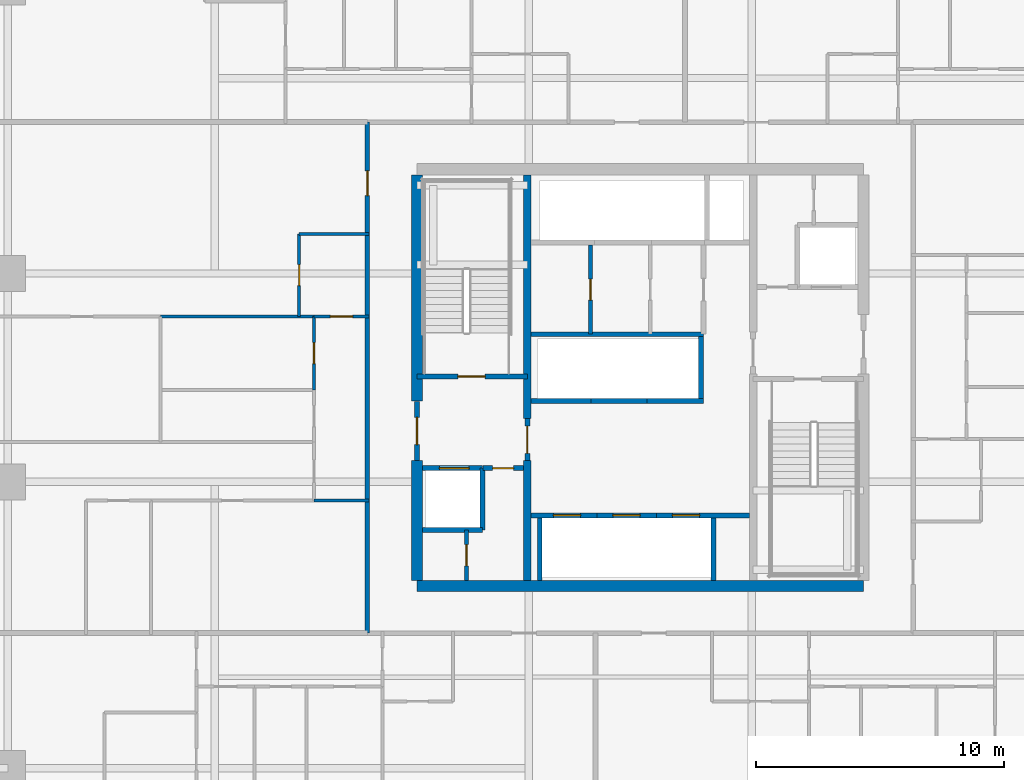
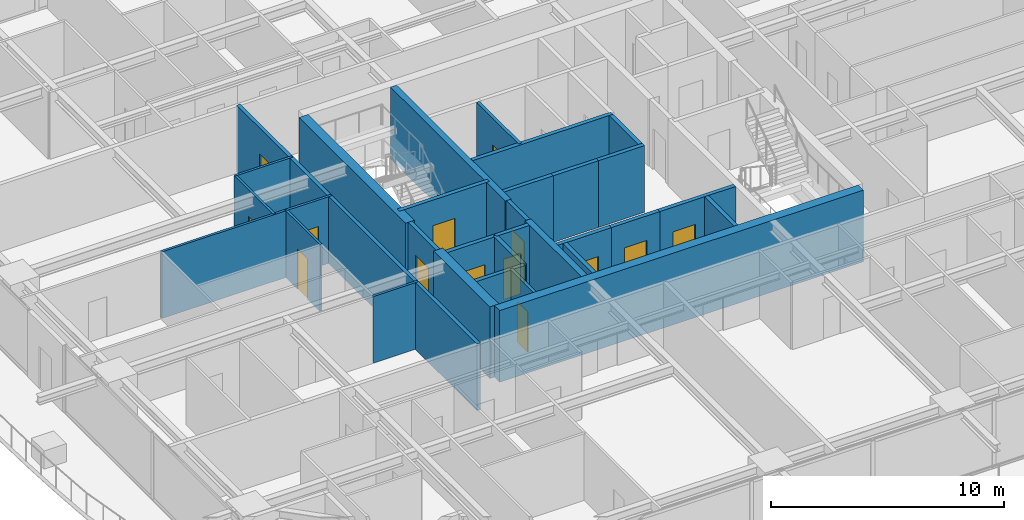
# One storey, part 24 of 36: 31 walls, 14 doors, 14 openings.
"""IFC4 building model written with IfcOpenShell, lengths in metres."""

from ifc_helpers import new_model, si_unit, direction, frame, frame_2d, origin, place, context, subcontext, project, spatial, rectangle, extrude, source, transform, mapped, material, layer, layer_set, type_object, element, fill, save


model = new_model("IFC4")

# Units and contexts
model_context = context("Model", 3, precision=1e-05, world=origin(), true_north=direction((0.0, 1.0)))
body_context = subcontext(model_context, "Body", "Model", "MODEL_VIEW")
ifc_project = project(units=[si_unit("LENGTHUNIT", "METRE"), si_unit("AREAUNIT", "SQUARE_METRE"), si_unit("VOLUMEUNIT", "CUBIC_METRE"), si_unit("PLANEANGLEUNIT", "RADIAN"), si_unit("MASSUNIT", "GRAM", prefix="KILO")], contexts=[model_context])

# Site, building, storey
site_placement = place(None, origin())
site = spatial("IfcSite", under=ifc_project, at=site_placement, CompositionType="ELEMENT")
building_placement = place(site_placement, origin())
building = spatial("IfcBuilding", under=site, at=building_placement, Name="Serunith Strait Residences", CompositionType="ELEMENT")
storey_placement = place(building_placement, frame((0.0, 0.0, 41.699951171875)))
storey = spatial("IfcBuildingStorey", under=building, at=storey_placement, Name="L09", CompositionType="ELEMENT", Elevation=41.699951171875)

# Wall, opening, door
ifc_material_1 = material(Name="Fire-rated masonry service closet wall", Category="masonry")
ifc_layer_1 = layer(ifc_material_1, 0.14990234375, Name="Fire-rated masonry service closet wall")
ifc_layer_set_1 = layer_set([ifc_layer_1], Name="Fire-rated masonry service closet wall")
wall_type_1 = type_object("IfcWallType", Name="IW-BOH-150", PredefinedType="PARTITIONING", material=ifc_layer_set_1)
wall_1_placement = place(storey_placement, frame((25.39990234375, 17.02490234375, 0.0), z_axis=(0.0, 0.0, 1.0), x_axis=(0.0, 1.0, 0.0)))
wall_1 = element("IfcWall", 1, at=wall_1_placement, inside=storey, type_object=wall_type_1, Name="L09 Partition Wall 012", PredefinedType="PARTITIONING", context=body_context, shape_type="SweptSolid", body=[
    extrude(rectangle(XDim=2.025146484375, YDim=0.14990234375, at=frame_2d((1.0126953125, 0.0))), origin(), (0.0, 0.0, 1.0), 3.489990234375),
])
opening_1_placement = place(wall_1_placement, frame((0.587890625, 0.0, 0.0)))
opening_1 = element("IfcOpeningElement", 2, at=opening_1_placement, cuts=wall_1, Name="Opening FD-850", PredefinedType="OPENING", context=body_context, shape_type="SweptSolid", body=[
    extrude(rectangle(XDim=0.85009765625, YDim=2.10009765625, at=frame_2d((0.425048828125, 1.050048828125))), frame((0.0, 0.0849609375, 0.0), z_axis=(0.0, -1.0, 0.0), x_axis=(1.0, 0.0, 0.0)), (0.0, 0.0, 1.0), 0.169921875),
])
ifc_material_2 = material(Name="Powder-coated steel service closet door", Category="steel")
door_type_1 = type_object("IfcDoorType", Name="FD-BOH-850", OperationType="NOTDEFINED", PredefinedType="DOOR", material=ifc_material_2)
shared_shape_1 = source(origin(), body_context, "Body", "SweptSolid", [
    extrude(rectangle(XDim=0.85009765625, YDim=2.10009765625, at=frame_2d((0.425048828125, 1.050048828125))), frame((0.0, 0.02490234375, 0.0), z_axis=(0.0, -1.0, 0.0), x_axis=(1.0, 0.0, 0.0)), (0.0, 0.0, 1.0), 0.050048828125),
])
door_1_placement = place(opening_1_placement, origin())
door_1 = element("IfcDoor", 3, at=door_1_placement, inside=storey, type_object=door_type_1, Name="L09 Sprinkler Plant Door", OperationType="SINGLE_SWING_RIGHT", OverallHeight=2.10009765625, OverallWidth=0.85009765625, PredefinedType="DOOR", context=body_context, shape_type="MappedRepresentation", body=[
    mapped(shared_shape_1, transform((0.0, 0.0, 0.0), scale=1.0)),
])
fill(opening_1, door_1)

wall_2_placement = place(storey_placement, frame((30.39990234375, 26.949951171875, 0.0), z_axis=(0.0, 0.0, 1.0), x_axis=(0.0, 1.0, 0.0)))
wall_2 = element("IfcWall", 4, at=wall_2_placement, inside=storey, type_object=wall_type_1, Name="L09 Partition Wall 016", PredefinedType="PARTITIONING", context=body_context, shape_type="SweptSolid", body=[
    extrude(rectangle(XDim=3.60009765625, YDim=0.14990234375, at=frame_2d((1.800048828125, 0.0))), origin(), (0.0, 0.0, 1.0), 3.489990234375),
])
opening_2_placement = place(wall_2_placement, frame((1.375, 0.0, 0.0)))
opening_2 = element("IfcOpeningElement", 5, at=opening_2_placement, cuts=wall_2, Name="Opening FD-850", PredefinedType="OPENING", context=body_context, shape_type="SweptSolid", body=[
    extrude(rectangle(XDim=0.85009765625, YDim=2.10009765625, at=frame_2d((0.425048828125, 1.050048828125))), frame((0.0, 0.0849609375, 0.0), z_axis=(0.0, -1.0, 0.0), x_axis=(1.0, 0.0, 0.0)), (0.0, 0.0, 1.0), 0.169921875),
])
door_2_placement = place(opening_2_placement, origin())
door_2 = element("IfcDoor", 6, at=door_2_placement, inside=storey, type_object=door_type_1, Name="L09 Housekeeping Supply Door", OperationType="SINGLE_SWING_RIGHT", OverallHeight=2.10009765625, OverallWidth=0.85009765625, PredefinedType="DOOR", context=body_context, shape_type="MappedRepresentation", body=[
    mapped(shared_shape_1, transform((0.0, 0.0, 0.0), scale=1.0)),
])
fill(opening_2, door_2)

ifc_material_3 = material(Name="Fire-rated acoustic gypsum partition")
ifc_layer_2 = layer(ifc_material_3, 0.179931640625, Name="Fire-rated acoustic gypsum partition")
ifc_layer_set_2 = layer_set([ifc_layer_2], Name="Fire-rated acoustic gypsum partition")
wall_type_2 = type_object("IfcWallType", Name="IW-CORR-180", PredefinedType="PARTITIONING", material=ifc_layer_set_2)
wall_3_placement = place(storey_placement, frame((21.39990234375, 14.89990234375, 0.0), z_axis=(0.0, 0.0, 1.0), x_axis=(0.0, 1.0, 0.0)))
wall_3 = element("IfcWall", 7, at=wall_3_placement, inside=storey, type_object=wall_type_2, Name="L09 Partition Wall 025", PredefinedType="PARTITIONING", context=body_context, shape_type="SweptSolid", body=[
    extrude(rectangle(XDim=20.60009765625, YDim=0.179931640625, at=frame_2d((10.300048828125, 0.0))), origin(), (0.0, 0.0, 1.0), 3.489990234375),
])
opening_3_placement = place(wall_3_placement, frame((17.639892578125, 0.0, 0.0)))
opening_3 = element("IfcOpeningElement", 8, at=opening_3_placement, cuts=wall_3, Name="Opening D-APT1000", PredefinedType="OPENING", context=body_context, shape_type="SweptSolid", body=[
    extrude(rectangle(XDim=1.0, YDim=2.14990234375, at=frame_2d((0.5, 1.074951171875))), frame((0.0, 0.10009765625, 0.0), z_axis=(0.0, -1.0, 0.0), x_axis=(1.0, 0.0, 0.0)), (0.0, 0.0, 1.0), 0.199951171875),
])
ifc_material_4 = material(Name="Solid timber engineered fire door", Category="wood")
door_type_2 = type_object("IfcDoorType", Name="ID-APT-1000", OperationType="NOTDEFINED", PredefinedType="DOOR", material=ifc_material_4)
shared_shape_2 = source(origin(), body_context, "Body", "SweptSolid", [
    extrude(rectangle(XDim=1.0, YDim=2.14990234375, at=frame_2d((0.5, 1.074951171875))), frame((0.0, 0.02490234375, 0.0), z_axis=(0.0, -1.0, 0.0), x_axis=(1.0, 0.0, 0.0)), (0.0, 0.0, 1.0), 0.050048828125),
])
door_3_placement = place(opening_3_placement, origin())
door_3 = element("IfcDoor", 9, at=door_3_placement, inside=storey, type_object=door_type_2, Name="L09 Unit 05 Entrance Door", OperationType="SINGLE_SWING_LEFT", OverallHeight=2.14990234375, OverallWidth=1.0, PredefinedType="DOOR", context=body_context, shape_type="MappedRepresentation", body=[
    mapped(shared_shape_2, transform((0.0, 0.0, 0.0), scale=1.0)),
])
fill(opening_3, door_3)

ifc_material_5 = material(Name="Lightweight steel-stud gypsum partition", Category="steel")
ifc_layer_3 = layer(ifc_material_5, 0.1201171875, Name="Lightweight steel-stud gypsum partition")
ifc_layer_set_3 = layer_set([ifc_layer_3], Name="Lightweight steel-stud gypsum partition")
wall_type_3 = type_object("IfcWallType", Name="IW-PART-120", PredefinedType="PARTITIONING", material=ifc_layer_set_3)
wall_4_placement = place(storey_placement, frame((18.64990234375, 27.669921875, 0.0), z_axis=(0.0, 0.0, 1.0), x_axis=(0.0, 1.0, 0.0)))
wall_4 = element("IfcWall", 10, at=wall_4_placement, inside=storey, type_object=wall_type_3, Name="L09 Partition Wall 095", PredefinedType="PARTITIONING", context=body_context, shape_type="SweptSolid", body=[
    extrude(rectangle(XDim=3.330078125, YDim=0.1201171875, at=frame_2d((1.6650390625, 0.0))), origin(), (0.0, 0.0, 1.0), 3.489990234375),
])
opening_4_placement = place(wall_4_placement, frame((1.239990234375, 0.0, 0.0)))
opening_4 = element("IfcOpeningElement", 11, at=opening_4_placement, cuts=wall_4, Name="Opening D-RM850", PredefinedType="OPENING", context=body_context, shape_type="SweptSolid", body=[
    extrude(rectangle(XDim=0.85009765625, YDim=2.10009765625, at=frame_2d((0.425048828125, 1.050048828125))), frame((0.0, 0.070068359375, 0.0), z_axis=(0.0, -1.0, 0.0), x_axis=(1.0, 0.0, 0.0)), (0.0, 0.0, 1.0), 0.14013671875),
])
ifc_material_6 = material(Name="Engineered timber flush study and kitchen door", Category="wood")
door_type_3 = type_object("IfcDoorType", Name="ID-ROOM-850", OperationType="NOTDEFINED", PredefinedType="DOOR", material=ifc_material_6)
door_4_placement = place(opening_4_placement, origin())
door_4 = element("IfcDoor", 12, at=door_4_placement, inside=storey, type_object=door_type_3, Name="L09 Kitchen 0905 Door", OperationType="SINGLE_SWING_LEFT", OverallHeight=2.10009765625, OverallWidth=0.85009765625, PredefinedType="DOOR", context=body_context, shape_type="MappedRepresentation", body=[
    mapped(shared_shape_1, transform((0.0, 0.0, 0.0), scale=1.0)),
])
fill(opening_4, door_4)

# Wall
wall_5_placement = place(storey_placement, frame((18.64990234375, 31.0, 0.0), z_axis=(0.0, 0.0, 1.0), x_axis=(1.0, 0.0, 0.0)))
element("IfcWall", 13, at=wall_5_placement, inside=storey, type_object=wall_type_3, Name="L09 Partition Wall 096", PredefinedType="PARTITIONING", context=body_context, shape_type="SweptSolid", body=[
    extrude(rectangle(XDim=2.81005859375, YDim=0.1201171875, at=frame_2d((1.405029296875, 0.0))), origin(), (0.0, 0.0, 1.0), 3.489990234375),
])

# Wall, opening, door
wall_6_placement = place(storey_placement, frame((19.25, 27.669921875, 0.0), z_axis=(0.0, 0.0, 1.0), x_axis=(1.0, 0.0, 0.0)))
wall_6 = element("IfcWall", 14, at=wall_6_placement, inside=storey, type_object=wall_type_3, Name="L09 Partition Wall 097", PredefinedType="PARTITIONING", context=body_context, shape_type="SweptSolid", body=[
    extrude(rectangle(XDim=2.2099609375, YDim=0.1201171875, at=frame_2d((1.10498046875, 0.0))), origin(), (0.0, 0.0, 1.0), 3.489990234375),
])
opening_5_placement = place(wall_6_placement, frame((0.655029296875, 0.0, 0.0)))
opening_5 = element("IfcOpeningElement", 15, at=opening_5_placement, cuts=wall_6, Name="Opening D-RM900", PredefinedType="OPENING", context=body_context, shape_type="SweptSolid", body=[
    extrude(rectangle(XDim=0.89990234375, YDim=2.10009765625, at=frame_2d((0.449951171875, 1.050048828125))), frame((0.0, 0.070068359375, 0.0), z_axis=(0.0, -1.0, 0.0), x_axis=(1.0, 0.0, 0.0)), (0.0, 0.0, 1.0), 0.14013671875),
])
ifc_material_7 = material(Name="Engineered timber flush bedroom door", Category="wood")
door_type_4 = type_object("IfcDoorType", Name="ID-ROOM-900", OperationType="NOTDEFINED", PredefinedType="DOOR", material=ifc_material_7)
shared_shape_3 = source(origin(), body_context, "Body", "SweptSolid", [
    extrude(rectangle(XDim=0.89990234375, YDim=2.10009765625, at=frame_2d((0.449951171875, 1.050048828125))), frame((0.0, 0.02490234375, 0.0), z_axis=(0.0, -1.0, 0.0), x_axis=(1.0, 0.0, 0.0)), (0.0, 0.0, 1.0), 0.050048828125),
])
door_5_placement = place(opening_5_placement, origin())
door_5 = element("IfcDoor", 16, at=door_5_placement, inside=storey, type_object=door_type_4, Name="L09 Hall W 0905 Door", OperationType="SINGLE_SWING_RIGHT", OverallHeight=2.10009765625, OverallWidth=0.89990234375, PredefinedType="DOOR", context=body_context, shape_type="MappedRepresentation", body=[
    mapped(shared_shape_3, transform((0.0, 0.0, 0.0), scale=1.0)),
])
fill(opening_5, door_5)

# Wall
wall_7_placement = place(storey_placement, frame((13.06103515625, 27.669921875, 0.0), z_axis=(0.0, 0.0, 1.0), x_axis=(1.0, 0.0, 0.0)))
element("IfcWall", 17, at=wall_7_placement, inside=storey, type_object=wall_type_3, Name="L09 Partition Wall 099", PredefinedType="PARTITIONING", context=body_context, shape_type="SweptSolid", body=[
    extrude(rectangle(XDim=6.18701171875, YDim=0.1201171875, at=frame_2d((3.093505859375, 0.0))), origin(), (0.0, 0.0, 1.0), 3.489990234375),
])

# Wall, opening, door
wall_8_placement = place(storey_placement, frame((19.25, 24.701904296875, 0.0), z_axis=(0.0, 0.0, 1.0), x_axis=(0.0, 1.0, 0.0)))
wall_8 = element("IfcWall", 18, at=wall_8_placement, inside=storey, type_object=wall_type_3, Name="L09 Partition Wall 104", PredefinedType="PARTITIONING", context=body_context, shape_type="SweptSolid", body=[
    extrude(rectangle(XDim=2.968017578125, YDim=0.1201171875, at=frame_2d((1.48388671875, 0.0))), origin(), (0.0, 0.0, 1.0), 3.489990234375),
])
opening_6_placement = place(wall_8_placement, frame((1.05908203125, 0.0, 0.0)))
opening_6 = element("IfcOpeningElement", 19, at=opening_6_placement, cuts=wall_8, Name="Opening D-RM850", PredefinedType="OPENING", context=body_context, shape_type="SweptSolid", body=[
    extrude(rectangle(XDim=0.85009765625, YDim=2.10009765625, at=frame_2d((0.425048828125, 1.050048828125))), frame((0.0, 0.070068359375, 0.0), z_axis=(0.0, -1.0, 0.0), x_axis=(1.0, 0.0, 0.0)), (0.0, 0.0, 1.0), 0.14013671875),
])
door_6_placement = place(opening_6_placement, origin())
door_6 = element("IfcDoor", 20, at=door_6_placement, inside=storey, type_object=door_type_3, Name="L09 Formal Dining Room 0905 Door", OperationType="SINGLE_SWING_LEFT", OverallHeight=2.10009765625, OverallWidth=0.85009765625, PredefinedType="DOOR", context=body_context, shape_type="MappedRepresentation", body=[
    mapped(shared_shape_1, transform((0.0, 0.0, 0.0), scale=1.0)),
])
fill(opening_6, door_6)

# Wall
wall_9_placement = place(storey_placement, frame((19.251953125, 20.25, 0.0), z_axis=(0.0, 0.0, 1.0), x_axis=(1.0, 0.0, 0.0)))
element("IfcWall", 21, at=wall_9_placement, inside=storey, type_object=wall_type_3, Name="L09 Partition Wall 110", PredefinedType="PARTITIONING", context=body_context, shape_type="SweptSolid", body=[
    extrude(rectangle(XDim=2.2080078125, YDim=0.1201171875, at=frame_2d((1.10400390625, 0.0))), origin(), (0.0, 0.0, 1.0), 3.489990234375),
])

# Wall, opening, door
ifc_material_8 = material(Name="Autoclaved aerated concrete blockwork", Category="masonry")
ifc_layer_4 = layer(ifc_material_8, 0.199951171875, Name="Autoclaved aerated concrete blockwork")
ifc_layer_set_4 = layer_set([ifc_layer_4], Name="Autoclaved aerated concrete blockwork")
wall_type_4 = type_object("IfcWallType", Name="IW-SHAFT-200", PredefinedType="STANDARD", material=ifc_layer_set_4)
wall_10_placement = place(storey_placement, frame((23.39990234375, 25.25, 0.0), z_axis=(0.0, 0.0, 1.0), x_axis=(1.0, 0.0, 0.0)))
wall_10 = element("IfcWall", 22, at=wall_10_placement, inside=storey, type_object=wall_type_4, Name="L09 ST-1 South Shaft Wall", PredefinedType="STANDARD", context=body_context, shape_type="SweptSolid", body=[
    extrude(rectangle(XDim=4.4501953125, YDim=0.199951171875, at=frame_2d((2.22509765625, 0.0))), origin(), (0.0, 0.0, 1.0), 3.489990234375),
])
opening_7_placement = place(wall_10_placement, frame((1.64990234375, 0.0, 0.0)))
opening_7 = element("IfcOpeningElement", 23, at=opening_7_placement, cuts=wall_10, Name="Opening FD-1100", PredefinedType="OPENING", context=body_context, shape_type="SweptSolid", body=[
    extrude(rectangle(XDim=1.10009765625, YDim=2.14990234375, at=frame_2d((0.550048828125, 1.074951171875))), frame((0.0, 0.10986328125, 0.0), z_axis=(0.0, -1.0, 0.0), x_axis=(1.0, 0.0, 0.0)), (0.0, 0.0, 1.0), 0.219970703125),
])
ifc_material_9 = material(Name="Galvanised steel fire door leaf", Category="steel")
door_type_5 = type_object("IfcDoorType", Name="FD-STAIR-1100", OperationType="NOTDEFINED", PredefinedType="DOOR", material=ifc_material_9)
shared_shape_4 = source(origin(), body_context, "Body", "SweptSolid", [
    extrude(rectangle(XDim=1.10009765625, YDim=2.14990234375, at=frame_2d((0.550048828125, 1.074951171875))), frame((0.0, 0.02490234375, 0.0), z_axis=(0.0, -1.0, 0.0), x_axis=(1.0, 0.0, 0.0)), (0.0, 0.0, 1.0), 0.050048828125),
])
door_7_placement = place(opening_7_placement, origin())
door_7 = element("IfcDoor", 24, at=door_7_placement, inside=storey, type_object=door_type_5, Name="L09 ST-1 Escape Stair Door", OperationType="SINGLE_SWING_LEFT", OverallHeight=2.14990234375, OverallWidth=1.10009765625, PredefinedType="DOOR", context=body_context, shape_type="MappedRepresentation", body=[
    mapped(shared_shape_4, transform((0.0, 0.0, 0.0), scale=1.0)),
])
fill(opening_7, door_7)

wall_11_placement = place(storey_placement, frame((23.625, 21.550048828125, 0.0), z_axis=(0.0, 0.0, 1.0), x_axis=(1.0, 0.0, 0.0)))
wall_11 = element("IfcWall", 25, at=wall_11_placement, inside=storey, type_object=wall_type_4, Name="L09 FL-1 North Shaft Wall", PredefinedType="STANDARD", context=body_context, shape_type="SweptSolid", body=[
    extrude(rectangle(XDim=2.425048828125, YDim=0.199951171875, at=frame_2d((1.21240234375, 0.0))), origin(), (0.0, 0.0, 1.0), 3.489990234375),
])
opening_8_placement = place(wall_11_placement, frame((0.675048828125, 0.0, 0.0)))
opening_8 = element("IfcOpeningElement", 26, at=opening_8_placement, cuts=wall_11, Name="Opening LD-FF1200", PredefinedType="OPENING", context=body_context, shape_type="SweptSolid", body=[
    extrude(rectangle(XDim=1.199951171875, YDim=2.199951171875, at=frame_2d((0.60009765625, 1.10009765625))), frame((0.0, 0.10986328125, 0.0), z_axis=(0.0, -1.0, 0.0), x_axis=(1.0, 0.0, 0.0)), (0.0, 0.0, 1.0), 0.219970703125),
])
ifc_material_10 = material(Name="Brushed stainless steel landing door", Category="steel")
door_type_6 = type_object("IfcDoorType", Name="LD-FF-1200", OperationType="DOUBLE_DOOR_SLIDING", PredefinedType="DOOR", material=ifc_material_10)
shared_shape_5 = source(origin(), body_context, "Body", "SweptSolid", [
    extrude(rectangle(XDim=1.199951171875, YDim=2.199951171875, at=frame_2d((0.60009765625, 1.10009765625))), frame((0.0, 0.02490234375, 0.0), z_axis=(0.0, -1.0, 0.0), x_axis=(1.0, 0.0, 0.0)), (0.0, 0.0, 1.0), 0.050048828125),
])
door_8_placement = place(opening_8_placement, origin())
door_8 = element("IfcDoor", 27, at=door_8_placement, inside=storey, type_object=door_type_6, Name="L09 FL-1 Landing Door", OperationType="DOUBLE_DOOR_SLIDING", OverallHeight=2.199951171875, OverallWidth=1.199951171875, PredefinedType="DOOR", context=body_context, shape_type="MappedRepresentation", body=[
    mapped(shared_shape_5, transform((0.0, 0.0, 0.0), scale=1.0)),
])
fill(opening_8, door_8)

wall_12_placement = place(storey_placement, frame((28.0, 19.64990234375, 0.0), z_axis=(0.0, 0.0, 1.0), x_axis=(1.0, 0.0, 0.0)))
wall_12 = element("IfcWall", 28, at=wall_12_placement, inside=storey, type_object=wall_type_4, Name="L09 PL-1 North Shaft Wall", PredefinedType="STANDARD", context=body_context, shape_type="SweptSolid", body=[
    extrude(rectangle(XDim=2.64990234375, YDim=0.199951171875, at=frame_2d((1.324951171875, 0.0))), origin(), (0.0, 0.0, 1.0), 3.489990234375),
])
opening_9_placement = place(wall_12_placement, frame((0.89990234375, 0.0, 0.0)))
opening_9 = element("IfcOpeningElement", 29, at=opening_9_placement, cuts=wall_12, Name="Opening LD-1100", PredefinedType="OPENING", context=body_context, shape_type="SweptSolid", body=[
    extrude(rectangle(XDim=1.10009765625, YDim=2.199951171875, at=frame_2d((0.550048828125, 1.10009765625))), frame((0.0, 0.10986328125, 0.0), z_axis=(0.0, -1.0, 0.0), x_axis=(1.0, 0.0, 0.0)), (0.0, 0.0, 1.0), 0.219970703125),
])
ifc_material_11 = material(Name="Pale-champagne stainless landing door")
door_type_7 = type_object("IfcDoorType", Name="LD-LIFT-1100", OperationType="DOUBLE_DOOR_SLIDING", PredefinedType="DOOR", material=ifc_material_11)
shared_shape_6 = source(origin(), body_context, "Body", "SweptSolid", [
    extrude(rectangle(XDim=1.10009765625, YDim=2.199951171875, at=frame_2d((0.550048828125, 1.10009765625))), frame((0.0, 0.02490234375, 0.0), z_axis=(0.0, -1.0, 0.0), x_axis=(1.0, 0.0, 0.0)), (0.0, 0.0, 1.0), 0.050048828125),
])
door_9_placement = place(opening_9_placement, origin())
door_9 = element("IfcDoor", 30, at=door_9_placement, inside=storey, type_object=door_type_7, Name="L09 PL-1 Landing Door", OperationType="DOUBLE_DOOR_SLIDING", OverallHeight=2.199951171875, OverallWidth=1.10009765625, PredefinedType="DOOR", context=body_context, shape_type="MappedRepresentation", body=[
    mapped(shared_shape_6, transform((0.0, 0.0, 0.0), scale=1.0)),
])
fill(opening_9, door_9)

# Wall
wall_13_placement = place(storey_placement, frame((28.35009765625, 17.02490234375, 0.0), z_axis=(0.0, 0.0, 1.0), x_axis=(0.0, 1.0, 0.0)))
element("IfcWall", 31, at=wall_13_placement, inside=storey, type_object=wall_type_4, Name="L09 PL-1 West Shaft Wall", PredefinedType="STANDARD", context=body_context, shape_type="SweptSolid", body=[
    extrude(rectangle(XDim=2.525146484375, YDim=0.199951171875, at=frame_2d((1.2626953125, 0.0))), origin(), (0.0, 0.0, 1.0), 3.489990234375),
])

# Wall, opening, door
wall_14_placement = place(storey_placement, frame((30.64990234375, 19.64990234375, 0.0), z_axis=(0.0, 0.0, 1.0), x_axis=(1.0, 0.0, 0.0)))
wall_14 = element("IfcWall", 32, at=wall_14_placement, inside=storey, type_object=wall_type_4, Name="L09 PL-2 North Shaft Wall", PredefinedType="STANDARD", context=body_context, shape_type="SweptSolid", body=[
    extrude(rectangle(XDim=2.400146484375, YDim=0.199951171875, at=frame_2d((1.2001953125, 0.0))), origin(), (0.0, 0.0, 1.0), 3.489990234375),
])
opening_10_placement = place(wall_14_placement, frame((0.64990234375, 0.0, 0.0)))
opening_10 = element("IfcOpeningElement", 33, at=opening_10_placement, cuts=wall_14, Name="Opening LD-1100", PredefinedType="OPENING", context=body_context, shape_type="SweptSolid", body=[
    extrude(rectangle(XDim=1.10009765625, YDim=2.199951171875, at=frame_2d((0.550048828125, 1.10009765625))), frame((0.0, 0.10986328125, 0.0), z_axis=(0.0, -1.0, 0.0), x_axis=(1.0, 0.0, 0.0)), (0.0, 0.0, 1.0), 0.219970703125),
])
door_10_placement = place(opening_10_placement, origin())
door_10 = element("IfcDoor", 34, at=door_10_placement, inside=storey, type_object=door_type_7, Name="L09 PL-2 Landing Door", OperationType="DOUBLE_DOOR_SLIDING", OverallHeight=2.199951171875, OverallWidth=1.10009765625, PredefinedType="DOOR", context=body_context, shape_type="MappedRepresentation", body=[
    mapped(shared_shape_6, transform((0.0, 0.0, 0.0), scale=1.0)),
])
fill(opening_10, door_10)

wall_15_placement = place(storey_placement, frame((33.050048828125, 19.64990234375, 0.0), z_axis=(0.0, 0.0, 1.0), x_axis=(1.0, 0.0, 0.0)))
wall_15 = element("IfcWall", 35, at=wall_15_placement, inside=storey, type_object=wall_type_4, Name="L09 PL-3 North Shaft Wall", PredefinedType="STANDARD", context=body_context, shape_type="SweptSolid", body=[
    extrude(rectangle(XDim=3.75, YDim=0.199951171875, at=frame_2d((1.875, 0.0))), origin(), (0.0, 0.0, 1.0), 3.489990234375),
])
opening_11_placement = place(wall_15_placement, frame((0.64990234375, 0.0, 0.0)))
opening_11 = element("IfcOpeningElement", 36, at=opening_11_placement, cuts=wall_15, Name="Opening LD-1100", PredefinedType="OPENING", context=body_context, shape_type="SweptSolid", body=[
    extrude(rectangle(XDim=1.10009765625, YDim=2.199951171875, at=frame_2d((0.550048828125, 1.10009765625))), frame((0.0, 0.10986328125, 0.0), z_axis=(0.0, -1.0, 0.0), x_axis=(1.0, 0.0, 0.0)), (0.0, 0.0, 1.0), 0.219970703125),
])
door_11_placement = place(opening_11_placement, origin())
door_11 = element("IfcDoor", 37, at=door_11_placement, inside=storey, type_object=door_type_7, Name="L09 PL-3 Landing Door", OperationType="DOUBLE_DOOR_SLIDING", OverallHeight=2.199951171875, OverallWidth=1.10009765625, PredefinedType="DOOR", context=body_context, shape_type="MappedRepresentation", body=[
    mapped(shared_shape_6, transform((0.0, 0.0, 0.0), scale=1.0)),
])
fill(opening_11, door_11)

# Walls
wall_16_placement = place(storey_placement, frame((35.35009765625, 17.02490234375, 0.0), z_axis=(0.0, 0.0, 1.0), x_axis=(0.0, 1.0, 0.0)))
element("IfcWall", 38, at=wall_16_placement, inside=storey, type_object=wall_type_4, Name="L09 PL-3 East Shaft Wall", PredefinedType="STANDARD", context=body_context, shape_type="SweptSolid", body=[
    extrude(rectangle(XDim=2.525146484375, YDim=0.199951171875, at=frame_2d((1.2626953125, 0.0))), origin(), (0.0, 0.0, 1.0), 3.489990234375),
])
wall_17_placement = place(storey_placement, frame((28.0, 24.25, 0.0), z_axis=(0.0, 0.0, 1.0), x_axis=(1.0, 0.0, 0.0)))
element("IfcWall", 39, at=wall_17_placement, inside=storey, type_object=wall_type_4, Name="L09 PL-4 South Shaft Wall", PredefinedType="STANDARD", context=body_context, shape_type="SweptSolid", body=[
    extrude(rectangle(XDim=2.425048828125, YDim=0.199951171875, at=frame_2d((1.21240234375, 0.0))), origin(), (0.0, 0.0, 1.0), 3.489990234375),
])
wall_18_placement = place(storey_placement, frame((30.425048828125, 24.25, 0.0), z_axis=(0.0, 0.0, 1.0), x_axis=(1.0, 0.0, 0.0)))
element("IfcWall", 40, at=wall_18_placement, inside=storey, type_object=wall_type_4, Name="L09 PL-5 South Shaft Wall", PredefinedType="STANDARD", context=body_context, shape_type="SweptSolid", body=[
    extrude(rectangle(XDim=2.25, YDim=0.199951171875, at=frame_2d((1.125, 0.0))), origin(), (0.0, 0.0, 1.0), 3.489990234375),
])
wall_19_placement = place(storey_placement, frame((32.675048828125, 24.25, 0.0), z_axis=(0.0, 0.0, 1.0), x_axis=(1.0, 0.0, 0.0)))
element("IfcWall", 41, at=wall_19_placement, inside=storey, type_object=wall_type_4, Name="L09 PL-6 South Shaft Wall", PredefinedType="STANDARD", context=body_context, shape_type="SweptSolid", body=[
    extrude(rectangle(XDim=2.27490234375, YDim=0.199951171875, at=frame_2d((1.137451171875, 0.0))), origin(), (0.0, 0.0, 1.0), 3.489990234375),
])
for number, where, z_axis, x_axis, name in (
    (42, (34.85009765625, 24.35009765625, 0.0), (0.0, 0.0, 1.0), (0.0, 1.0, 0.0), "L09 PL-6 East Shaft Wall"),
    (43, (26.050048828125, 19.050048828125, 0.0), (0.0, 0.0, 1.0), (0.0, 1.0, 0.0), "L09 Partition Wall 001"),
):
    element("IfcWall", number, at=place(storey_placement, frame(where, z_axis=z_axis, x_axis=x_axis)), inside=storey, type_object=wall_type_4, Name=name, PredefinedType="STANDARD", context=body_context, shape_type="SweptSolid", body=[
        extrude(rectangle(XDim=2.5, YDim=0.199951171875, at=frame_2d((1.25, 0.0))), origin(), (0.0, 0.0, 1.0), 3.489990234375),
    ])
wall_20_placement = place(storey_placement, frame((23.625, 19.050048828125, 0.0), z_axis=(0.0, 0.0, 1.0), x_axis=(1.0, 0.0, 0.0)))
element("IfcWall", 44, at=wall_20_placement, inside=storey, type_object=wall_type_4, Name="L09 Partition Wall 002", PredefinedType="STANDARD", context=body_context, shape_type="SweptSolid", body=[
    extrude(rectangle(XDim=2.425048828125, YDim=0.199951171875, at=frame_2d((1.21240234375, 0.0))), origin(), (0.0, 0.0, 1.0), 3.489990234375),
])

# Wall, opening, door
wall_21_placement = place(storey_placement, frame((26.052001953125, 21.550048828125, 0.0), z_axis=(0.0, 0.0, 1.0), x_axis=(1.0, 0.0, 0.0)))
wall_21 = element("IfcWall", 45, at=wall_21_placement, inside=storey, type_object=wall_type_4, Name="L09 Partition Wall 003", PredefinedType="STANDARD", context=body_context, shape_type="SweptSolid", body=[
    extrude(rectangle(XDim=1.64794921875, YDim=0.199951171875, at=frame_2d((0.823974609375, 0.0))), origin(), (0.0, 0.0, 1.0), 3.489990234375),
])
opening_12_placement = place(wall_21_placement, frame((0.39892578125, 0.0, 0.0)))
opening_12 = element("IfcOpeningElement", 46, at=opening_12_placement, cuts=wall_21, Name="Opening FD-850", PredefinedType="OPENING", context=body_context, shape_type="SweptSolid", body=[
    extrude(rectangle(XDim=0.85009765625, YDim=2.10009765625, at=frame_2d((0.425048828125, 1.050048828125))), frame((0.0, 0.10986328125, 0.0), z_axis=(0.0, -1.0, 0.0), x_axis=(1.0, 0.0, 0.0)), (0.0, 0.0, 1.0), 0.219970703125),
])
door_12_placement = place(opening_12_placement, origin())
door_12 = element("IfcDoor", 47, at=door_12_placement, inside=storey, type_object=door_type_1, Name="L09 South-West Core Service Door", OperationType="SINGLE_SWING_RIGHT", OverallHeight=2.10009765625, OverallWidth=0.85009765625, PredefinedType="DOOR", context=body_context, shape_type="MappedRepresentation", body=[
    mapped(shared_shape_1, transform((0.0, 0.0, 0.0), scale=1.0)),
])
fill(opening_12, door_12)

wall_22_placement = place(storey_placement, frame((23.39990234375, 21.85205078125, 0.0), z_axis=(0.0, 0.0, 1.0), x_axis=(0.0, 1.0, 0.0)))
wall_22 = element("IfcWall", 48, at=wall_22_placement, inside=storey, type_object=wall_type_4, Name="L09 Partition Wall 007", PredefinedType="STANDARD", context=body_context, shape_type="SweptSolid", body=[
    extrude(rectangle(XDim=2.39599609375, YDim=0.199951171875, at=frame_2d((1.197998046875, 0.0))), origin(), (0.0, 0.0, 1.0), 3.489990234375),
])
opening_13_placement = place(wall_22_placement, frame((0.64794921875, 0.0, 0.0)))
opening_13 = element("IfcOpeningElement", 49, at=opening_13_placement, cuts=wall_22, Name="Opening FD-FFL", PredefinedType="OPENING", context=body_context, shape_type="SweptSolid", body=[
    extrude(rectangle(XDim=1.10009765625, YDim=2.14990234375, at=frame_2d((0.550048828125, 1.074951171875))), frame((0.0, 0.10986328125, 0.0), z_axis=(0.0, -1.0, 0.0), x_axis=(1.0, 0.0, 0.0)), (0.0, 0.0, 1.0), 0.219970703125),
])
ifc_material_12 = material(Name="Glazed steel smoke-lobby fire door", Category="steel")
door_type_8 = type_object("IfcDoorType", Name="FD-FFL-1100", OperationType="NOTDEFINED", PredefinedType="DOOR", material=ifc_material_12)
door_13_placement = place(opening_13_placement, origin())
door_13 = element("IfcDoor", 50, at=door_13_placement, inside=storey, type_object=door_type_8, Name="L09 FFL-1 Corridor Fire Door", OperationType="SINGLE_SWING_RIGHT", OverallHeight=2.14990234375, OverallWidth=1.10009765625, PredefinedType="DOOR", context=body_context, shape_type="MappedRepresentation", body=[
    mapped(shared_shape_4, transform((0.0, 0.0, 0.0), scale=1.0)),
])
fill(opening_13, door_13)

wall_23_placement = place(storey_placement, frame((27.85009765625, 21.85205078125, 0.0), z_axis=(0.0, 0.0, 1.0), x_axis=(0.0, 1.0, 0.0)))
wall_23 = element("IfcWall", 51, at=wall_23_placement, inside=storey, type_object=wall_type_4, Name="L09 Partition Wall 009", PredefinedType="STANDARD", context=body_context, shape_type="SweptSolid", body=[
    extrude(rectangle(XDim=1.696044921875, YDim=0.199951171875, at=frame_2d((0.84814453125, 0.0))), origin(), (0.0, 0.0, 1.0), 3.489990234375),
])
opening_14_placement = place(wall_23_placement, frame((0.298095703125, 0.0, 0.0)))
opening_14 = element("IfcOpeningElement", 52, at=opening_14_placement, cuts=wall_23, Name="Opening FD-FFL", PredefinedType="OPENING", context=body_context, shape_type="SweptSolid", body=[
    extrude(rectangle(XDim=1.10009765625, YDim=2.14990234375, at=frame_2d((0.550048828125, 1.074951171875))), frame((0.0, 0.10986328125, 0.0), z_axis=(0.0, -1.0, 0.0), x_axis=(1.0, 0.0, 0.0)), (0.0, 0.0, 1.0), 0.219970703125),
])
door_14_placement = place(opening_14_placement, origin())
door_14 = element("IfcDoor", 53, at=door_14_placement, inside=storey, type_object=door_type_8, Name="L09 FFL-1 Lift Lobby Door", OperationType="SINGLE_SWING_RIGHT", OverallHeight=2.14990234375, OverallWidth=1.10009765625, PredefinedType="DOOR", context=body_context, shape_type="MappedRepresentation", body=[
    mapped(shared_shape_4, transform((0.0, 0.0, 0.0), scale=1.0)),
])
fill(opening_14, door_14)

# Walls
wall_24_placement = place(storey_placement, frame((28.0, 26.949951171875, 0.0), z_axis=(0.0, 0.0, 1.0), x_axis=(1.0, 0.0, 0.0)))
element("IfcWall", 54, at=wall_24_placement, inside=storey, type_object=wall_type_4, Name="L09 Partition Wall 011", PredefinedType="STANDARD", context=body_context, shape_type="SweptSolid", body=[
    extrude(rectangle(XDim=6.949951171875, YDim=0.199951171875, at=frame_2d((3.47509765625, 0.0))), origin(), (0.0, 0.0, 1.0), 3.489990234375),
])
ifc_material_13 = material(Name="Concrete C80/95", Category="concrete")
ifc_layer_5 = layer(ifc_material_13, 0.300048828125, Name="Concrete C80/95")
ifc_layer_set_5 = layer_set([ifc_layer_5], Name="Concrete C80/95")
wall_type_5 = type_object("IfcWallType", Name="SW-300-C80", PredefinedType="SHEAR", material=ifc_layer_set_5)
wall_25_placement = place(storey_placement, frame((27.85009765625, 17.02490234375, -0.260009765625), z_axis=(0.0, 0.0, 1.0), x_axis=(0.0, 1.0, 0.0)))
element("IfcWall", 55, at=wall_25_placement, inside=storey, type_object=wall_type_5, Name="L09 Core Internal West Web South Pier", PredefinedType="SHEAR", context=body_context, shape_type="SweptSolid", body=[
    extrude(rectangle(XDim=4.8251953125, YDim=0.300048828125, at=frame_2d((2.41259765625, 0.0))), origin(), (0.0, 0.0, 1.0), 3.748046875),
])
wall_26_placement = place(storey_placement, frame((27.85009765625, 23.550048828125, -0.260009765625), z_axis=(0.0, 0.0, 1.0), x_axis=(0.0, 1.0, 0.0)))
element("IfcWall", 56, at=wall_26_placement, inside=storey, type_object=wall_type_5, Name="L09 Core Internal West Web North Pier", PredefinedType="SHEAR", context=body_context, shape_type="SweptSolid", body=[
    extrude(rectangle(XDim=9.824951171875, YDim=0.300048828125, at=frame_2d((4.91259765625, 0.0))), origin(), (0.0, 0.0, 1.0), 3.748046875),
])
ifc_layer_6 = layer(ifc_material_13, 0.449951171875, Name="Concrete C80/95")
ifc_layer_set_6 = layer_set([ifc_layer_6], Name="Concrete C80/95")
wall_type_6 = type_object("IfcWallType", Name="SW-450-C80", PredefinedType="SHEAR", material=ifc_layer_set_6)
wall_27_placement = place(storey_placement, frame((23.39990234375, 16.800048828125, -0.260009765625), z_axis=(0.0, 0.0, 1.0), x_axis=(1.0, 0.0, 0.0)))
element("IfcWall", 57, at=wall_27_placement, inside=storey, type_object=wall_type_6, Name="L09 Core South Shear Wall", PredefinedType="SHEAR", context=body_context, shape_type="SweptSolid", body=[
    extrude(rectangle(XDim=18.0, YDim=0.449951171875, at=frame_2d((9.0, 0.0))), origin(), (0.0, 0.0, 1.0), 3.748046875),
])
wall_28_placement = place(storey_placement, frame((23.39990234375, 17.02490234375, -0.260009765625), z_axis=(0.0, 0.0, 1.0), x_axis=(0.0, 1.0, 0.0)))
element("IfcWall", 58, at=wall_28_placement, inside=storey, type_object=wall_type_6, Name="L09 Core West Shear Wall South Pier", PredefinedType="SHEAR", context=body_context, shape_type="SweptSolid", body=[
    extrude(rectangle(XDim=4.8251953125, YDim=0.449951171875, at=frame_2d((2.41259765625, 0.0))), origin(), (0.0, 0.0, 1.0), 3.748046875),
])
wall_29_placement = place(storey_placement, frame((23.39990234375, 24.25, -0.260009765625), z_axis=(0.0, 0.0, 1.0), x_axis=(0.0, 1.0, 0.0)))
element("IfcWall", 59, at=wall_29_placement, inside=storey, type_object=wall_type_6, Name="L09 Core West Shear Wall North Pier", PredefinedType="SHEAR", context=body_context, shape_type="SweptSolid", body=[
    extrude(rectangle(XDim=9.125, YDim=0.449951171875, at=frame_2d((4.5625, 0.0))), origin(), (0.0, 0.0, 1.0), 3.748046875),
])

save(model, "model.ifc")
